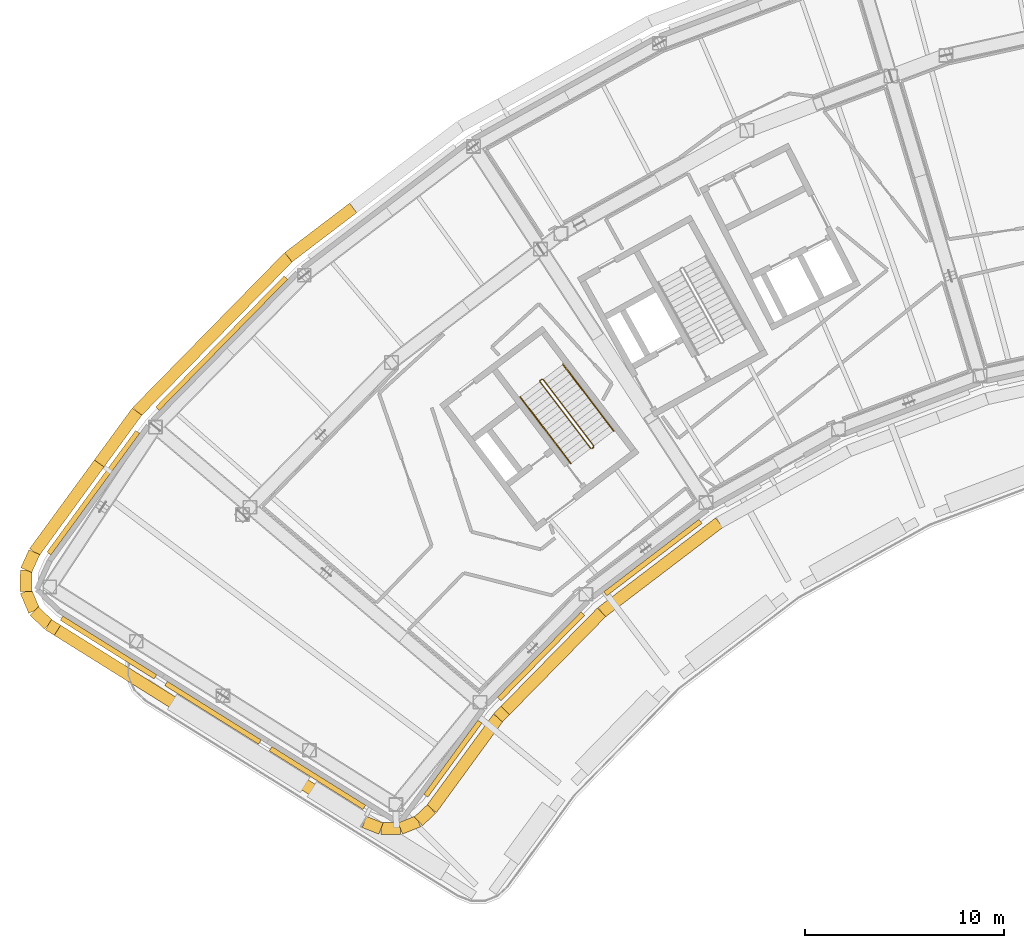
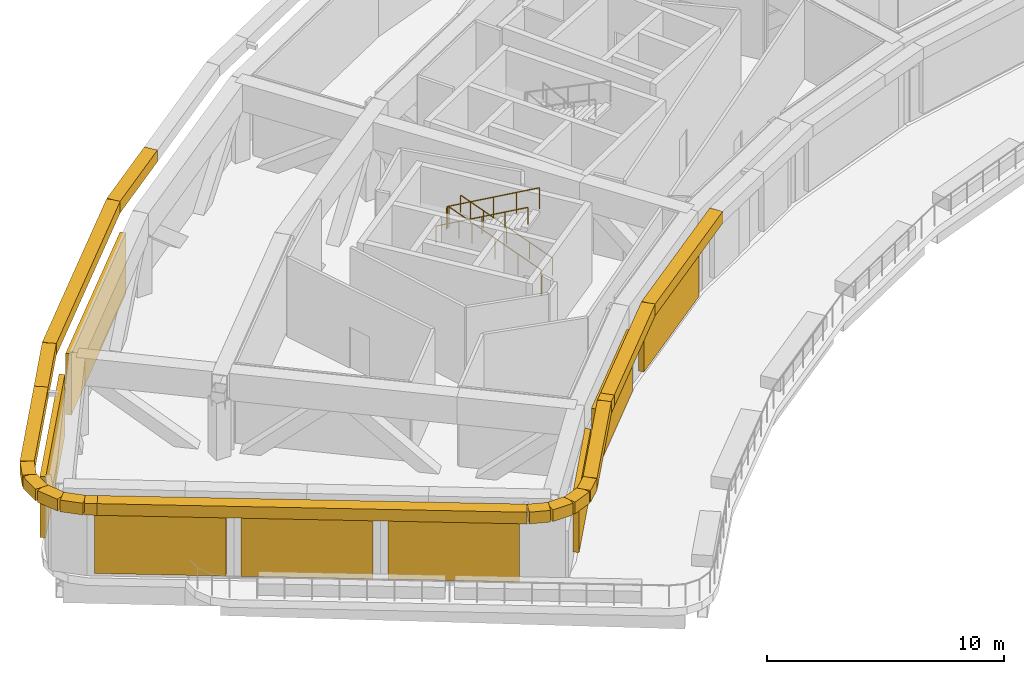
# One storey, part 21 of 26: 18 coverings, 8 shading devices, 3 railings.
"""IFC4 building model written with IfcOpenShell, lengths in metres."""

from ifc_helpers import new_model, si_unit, direction, frame, origin, origin_2d, place, context, subcontext, project, spatial, rectangle, circle, extrude, material, material_profile, profile_set, type_object, element, save


model = new_model("IFC4")

# Units and contexts
model_context = context("Model", 3, precision=1e-05, world=origin(), true_north=direction((0.0, 1.0)))
body_context = subcontext(model_context, "Body", "Model", "MODEL_VIEW")
ifc_project = project(units=[si_unit("LENGTHUNIT", "METRE"), si_unit("AREAUNIT", "SQUARE_METRE"), si_unit("VOLUMEUNIT", "CUBIC_METRE"), si_unit("PLANEANGLEUNIT", "RADIAN"), si_unit("MASSUNIT", "GRAM", prefix="KILO")], contexts=[model_context])

# Site, building, storey
site_placement = place(None, origin())
site = spatial("IfcSite", under=ifc_project, at=site_placement, CompositionType="ELEMENT")
building_placement = place(site_placement, origin())
building = spatial("IfcBuilding", under=site, at=building_placement, Name="Tuul Gate Civic Tower", CompositionType="ELEMENT")
storey_placement = place(building_placement, frame((0.0, 0.0, 167.60009765625)))
storey = spatial("IfcBuildingStorey", under=building, at=storey_placement, Name="Plant and refuge floor 5", CompositionType="ELEMENT", Elevation=167.60009765625)

# Shading devices
ifc_material_1 = material(Name="Aluminium louvre", Category="aluminium")
shading_device_type = type_object("IfcShadingDeviceType", Name="Louvre panel", PredefinedType="USERDEFINED", material=ifc_material_1)
shading_device_1_placement = place(storey_placement, frame((-52.05517578125, -8.284912109375, 0.300048828125), z_axis=(0.0, 0.0, 1.0), x_axis=(-0.714100212908, 0.700043488595, 0.0)))
element("IfcShadingDevice", 1, at=shading_device_1_placement, inside=storey, type_object=shading_device_type, Name="Louvre panel", ObjectType="LOUVRE", PredefinedType="USERDEFINED", context=body_context, shape_type="SweptSolid", body=[
    extrude(rectangle(XDim=0.25, YDim=9.199951171875, at=origin_2d()), origin(), (0.0, 0.0, 1.0), 3.14990234375),
])
shading_device_2_placement = place(storey_placement, frame((-58.49658203125, -15.7900390625, 0.300048828125), z_axis=(0.0, 0.0, 1.0), x_axis=(-0.807578487079, 0.589760109881, 0.0)))
element("IfcShadingDevice", 2, at=shading_device_2_placement, inside=storey, type_object=shading_device_type, Name="Louvre panel", ObjectType="LOUVRE", PredefinedType="USERDEFINED", context=body_context, shape_type="SweptSolid", body=[
    extrude(rectangle(XDim=0.25, YDim=7.550048828125, at=origin_2d()), origin(), (0.0, 0.0, 1.0), 3.14990234375),
])
for number, where, z_axis, x_axis, name in (
    (3, (-57.731689453125, -23.56005859375, 0.300048828125), (0.0, 0.0, 1.0), (-0.529911707044, -0.848052818366, 0.0), "Louvre panel"),
    (4, (-52.48828125, -26.83642578125, 0.300048828125), (0.0, 0.0, 1.0), (-0.529911707044, -0.848052818366, 0.0), "Louvre panel"),
    (5, (-47.244873046875, -30.11279296875, 0.300048828125), (0.0, 0.0, 1.0), (-0.529911707044, -0.848052818366, 0.0), "Louvre panel"),
):
    element("IfcShadingDevice", number, at=place(storey_placement, frame(where, z_axis=z_axis, x_axis=x_axis)), inside=storey, type_object=shading_device_type, Name=name, ObjectType="LOUVRE", PredefinedType="USERDEFINED", context=body_context, shape_type="SweptSolid", body=[
        extrude(rectangle(XDim=0.25, YDim=5.550048828125, at=origin_2d()), origin(), (0.0, 0.0, 1.0), 3.14990234375),
    ])
shading_device_3_placement = place(storey_placement, frame((-40.4462890625, -29.138916015625, 0.300048828125), z_axis=(0.0, 0.0, 1.0), x_axis=(0.807595190444, -0.589737236717, 0.0)))
element("IfcShadingDevice", 6, at=shading_device_3_placement, inside=storey, type_object=shading_device_type, Name="Louvre panel", ObjectType="LOUVRE", PredefinedType="USERDEFINED", context=body_context, shape_type="SweptSolid", body=[
    extrude(rectangle(XDim=0.25, YDim=4.60009765625, at=origin_2d()), origin(), (0.0, 0.0, 1.0), 3.14990234375),
])
for number, where, z_axis, x_axis, name in (
    (7, (-36.023193359375, -24.00048828125, 0.300048828125), (0.0, 0.0, 1.0), (0.714048093092, -0.700096651008, 0.0), "Louvre panel"),
    (8, (-30.408203125, -19.04541015625, 0.300048828125), (0.0, 0.0, 1.0), (0.605851052715, -0.795578092914, 0.0), "Louvre panel"),
):
    element("IfcShadingDevice", number, at=place(storey_placement, frame(where, z_axis=z_axis, x_axis=x_axis)), inside=storey, type_object=shading_device_type, Name=name, ObjectType="LOUVRE", PredefinedType="USERDEFINED", context=body_context, shape_type="SweptSolid", body=[
        extrude(rectangle(XDim=0.25, YDim=6.0, at=origin_2d()), origin(), (0.0, 0.0, 1.0), 3.14990234375),
    ])

# Railings
ifc_material_2 = material(Name="Painted steel", Category="steel")
railing_type_1 = type_object("IfcRailingType", Name="Stair guard", PredefinedType="GUARDRAIL", material=ifc_material_2)
railing_1_placement = place(storey_placement, frame((-33.382080078125, -13.515380859375, 0.0)))
element("IfcRailing", 9, at=railing_1_placement, inside=storey, type_object=railing_type_1, Name="Plant and refuge floor 5 ST-1 stair guard 1", PredefinedType="GUARDRAIL", context=body_context, shape_type="SweptSolid", body=[
    extrude(circle(Radius=0.02392578125, at=origin_2d()), frame((0.0, 0.0, 1.076171875), z_axis=(-0.795879841968, -0.605454603706, 0.0), x_axis=(0.605454603706, -0.795879841968, 0.0)), (0.0, 0.0, 1.0), 0.10009765625),
    extrude(circle(Radius=0.02392578125, at=origin_2d()), frame((-0.07958984375, -0.060546875, 1.076171875), z_axis=(0.408991890351, 0.599481263939, 0.688002796371), x_axis=(-0.826063974707, 0.563576356576, 0.0)), (0.0, 0.0, 1.0), 0.2177734375),
    extrude(circle(Radius=0.02392578125, at=origin_2d()), frame((0.009521484375, 0.070068359375, 1.22607421875), z_axis=(-0.541816459728, 0.711624784981, 0.447241645387), x_axis=(-0.795633173153, -0.605778716842, 0.0)), (0.0, 0.0, 1.0), 4.695556640625),
    extrude(circle(Radius=0.02392578125, at=origin_2d()), frame((-2.53466796875, 3.41162109375, 3.326171875), z_axis=(-0.990893089246, 0.134650977284, 0.0), x_axis=(-0.134650977284, -0.990893089246, 0.0)), (0.0, 0.0, 1.0), 0.07080078125),
    extrude(circle(Radius=0.02392578125, at=origin_2d()), frame((-2.604736328125, 3.421142578125, 3.326171875), z_axis=(-0.795879841968, -0.605454603706, 0.0), x_axis=(0.605454603706, -0.795879841968, 0.0)), (0.0, 0.0, 1.0), 0.10009765625),
    extrude(circle(Radius=0.02392578125, at=origin_2d()), frame((-2.684326171875, 3.360595703125, 3.326171875), z_axis=(-0.057447065493, -0.422751481959, 0.904423031091), x_axis=(0.990893089246, -0.134650977284, 0.0)), (0.0, 0.0, 1.0), 0.165771484375),
    extrude(circle(Radius=0.02392578125, at=origin_2d()), frame((-2.69384765625, 3.29052734375, 3.47607421875), z_axis=(0.541816459728, -0.711624784981, 0.447241645387), x_axis=(0.795633173153, 0.605778716842, 0.0)), (0.0, 0.0, 1.0), 4.695556640625),
    extrude(circle(Radius=0.02099609375, at=origin_2d()), origin(), (0.0, 0.0, 1.0), 1.052001953125),
    extrude(circle(Radius=0.02099609375, at=origin_2d()), frame((-0.07958984375, -0.060546875, 0.0)), (0.0, 0.0, 1.0), 1.052001953125),
    extrude(circle(Radius=0.02099609375, at=origin_2d()), frame((0.009521484375, 0.070068359375, 0.14990234375)), (0.0, 0.0, 1.0), 1.052001953125),
    extrude(circle(Radius=0.02099609375, at=origin_2d()), frame((-0.62646484375, 0.905517578125, 0.6748046875)), (0.0, 0.0, 1.0), 1.052001953125),
    extrude(circle(Radius=0.02099609375, at=origin_2d()), frame((-1.2626953125, 1.74072265625, 1.199951171875)), (0.0, 0.0, 1.0), 1.052001953125),
    extrude(circle(Radius=0.02099609375, at=origin_2d()), frame((-1.898681640625, 2.576171875, 1.72509765625)), (0.0, 0.0, 1.0), 1.052001953125),
    extrude(circle(Radius=0.02099609375, at=origin_2d()), frame((-2.53466796875, 3.41162109375, 2.25)), (0.0, 0.0, 1.0), 1.052001953125),
    extrude(circle(Radius=0.02099609375, at=origin_2d()), frame((-2.604736328125, 3.421142578125, 2.25)), (0.0, 0.0, 1.0), 1.052001953125),
    extrude(circle(Radius=0.02099609375, at=origin_2d()), frame((-2.684326171875, 3.360595703125, 2.25)), (0.0, 0.0, 1.0), 1.052001953125),
    extrude(circle(Radius=0.02099609375, at=origin_2d()), frame((-2.69384765625, 3.29052734375, 2.39990234375)), (0.0, 0.0, 1.0), 1.052001953125),
    extrude(circle(Radius=0.02099609375, at=origin_2d()), frame((-2.057861328125, 2.455078125, 2.9248046875)), (0.0, 0.0, 1.0), 1.052001953125),
    extrude(circle(Radius=0.02099609375, at=origin_2d()), frame((-1.421875, 1.61962890625, 3.449951171875)), (0.0, 0.0, 1.0), 1.052001953125),
    extrude(circle(Radius=0.02099609375, at=origin_2d()), frame((-0.78564453125, 0.784423828125, 3.97509765625)), (0.0, 0.0, 1.0), 1.052001953125),
    extrude(circle(Radius=0.02099609375, at=origin_2d()), frame((-0.149658203125, -0.051025390625, 4.5)), (0.0, 0.0, 1.0), 1.052001953125),
])
ifc_material_3 = material(Name="Painted steel", Category="steel")
railing_type_2 = type_object("IfcRailingType", Name="Stair handrail", PredefinedType="HANDRAIL", material=ifc_material_3)
railing_2_placement = place(storey_placement, frame((-32.3779296875, -12.688232421875, 0.14990234375)))
element("IfcRailing", 10, at=railing_2_placement, inside=storey, type_object=railing_type_2, Name="Plant and refuge floor 5 ST-1 stair handrail 1", PredefinedType="HANDRAIL", context=body_context, shape_type="SweptSolid", body=[
    extrude(circle(Radius=0.02392578125, at=origin_2d()), frame((0.0, 0.0, 0.8759765625), z_axis=(-0.541796413262, 0.711650446668, 0.447225098059), x_axis=(-0.795654503725, -0.605750700125, 0.0)), (0.0, 0.0, 1.0), 4.69580078125),
    extrude(circle(Radius=0.02099609375, at=origin_2d()), origin(), (0.0, 0.0, 1.0), 0.851806640625),
    extrude(circle(Radius=0.02099609375, at=origin_2d()), frame((-0.635986328125, 0.83544921875, 0.52490234375)), (0.0, 0.0, 1.0), 0.851806640625),
    extrude(circle(Radius=0.02099609375, at=origin_2d()), frame((-1.27197265625, 1.6708984375, 1.050048828125)), (0.0, 0.0, 1.0), 0.851806640625),
    extrude(circle(Radius=0.02099609375, at=origin_2d()), frame((-1.908203125, 2.50634765625, 1.5751953125)), (0.0, 0.0, 1.0), 0.851806640625),
    extrude(circle(Radius=0.02099609375, at=origin_2d()), frame((-2.544189453125, 3.341796875, 2.10009765625)), (0.0, 0.0, 1.0), 0.851806640625),
])
railing_3_placement = place(storey_placement, frame((-37.0703125, -10.98193359375, 2.39990234375)))
element("IfcRailing", 11, at=railing_3_placement, inside=storey, type_object=railing_type_2, Name="Plant and refuge floor 5 ST-1 stair handrail 2", PredefinedType="HANDRAIL", context=body_context, shape_type="SweptSolid", body=[
    extrude(circle(Radius=0.02392578125, at=origin_2d()), frame((0.0, 0.0, 0.8759765625), z_axis=(0.541796413262, -0.711650446668, 0.447225098059), x_axis=(0.795654503725, 0.605750700125, 0.0)), (0.0, 0.0, 1.0), 4.69580078125),
    extrude(circle(Radius=0.02099609375, at=origin_2d()), origin(), (0.0, 0.0, 1.0), 0.851806640625),
    extrude(circle(Radius=0.02099609375, at=origin_2d()), frame((0.635986328125, -0.83544921875, 0.52490234375)), (0.0, 0.0, 1.0), 0.851806640625),
    extrude(circle(Radius=0.02099609375, at=origin_2d()), frame((1.27197265625, -1.6708984375, 1.050048828125)), (0.0, 0.0, 1.0), 0.851806640625),
    extrude(circle(Radius=0.02099609375, at=origin_2d()), frame((1.908203125, -2.50634765625, 1.5751953125)), (0.0, 0.0, 1.0), 0.851806640625),
    extrude(circle(Radius=0.02099609375, at=origin_2d()), frame((2.544189453125, -3.341796875, 2.10009765625)), (0.0, 0.0, 1.0), 0.851806640625),
])

# Coverings
ifc_material_4 = material(Name="Terracotta baguette", Category="masonry")
ifc_material_profile = material_profile(ifc_material_4, rectangle(XDim=0.60009765625, YDim=0.60009765625, at=origin_2d()), Name="Terracotta baguette screen frame")
ifc_profile_set = profile_set([ifc_material_profile], Name="Terracotta baguette")
covering_type = type_object("IfcCoveringType", Name="Terracotta baguette screen frame", PredefinedType="CLADDING", material=ifc_profile_set)
covering_1_placement = place(storey_placement, frame((-58.19970703125, -14.32373046875, 4.14990234375), z_axis=(-0.589776736923, -0.807566344386, 0.0), x_axis=(0.807566344386, -0.589776736923, 0.0)))
element("IfcCovering", 12, at=covering_1_placement, inside=storey, type_object=covering_type, Name="Baguette 129", PredefinedType="CLADDING", context=body_context, shape_type="SweptSolid", body=[
    extrude(rectangle(XDim=0.60009765625, YDim=0.60009765625, at=origin_2d()), origin(), (0.0, 0.0, 1.0), 5.512939453125),
])
covering_2_placement = place(storey_placement, frame((-61.451171875, -18.77587890625, 4.14990234375), z_axis=(-0.413393330634, -0.910552554325, 0.0), x_axis=(0.910552554325, -0.413393330634, 0.0)))
element("IfcCovering", 13, at=covering_2_placement, inside=storey, type_object=covering_type, Name="Baguette 130", PredefinedType="CLADDING", context=body_context, shape_type="SweptSolid", body=[
    extrude(rectangle(XDim=0.60009765625, YDim=0.60009765625, at=origin_2d()), origin(), (0.0, 0.0, 1.0), 0.988037109375),
])
covering_3_placement = place(storey_placement, frame((-61.859619140625, -19.675537109375, 4.14990234375), z_axis=(-0.014633694716, -0.999892921757, 0.0), x_axis=(0.999892921757, -0.014633694716, 0.0)))
element("IfcCovering", 14, at=covering_3_placement, inside=storey, type_object=covering_type, Name="Baguette 131", PredefinedType="CLADDING", context=body_context, shape_type="SweptSolid", body=[
    extrude(rectangle(XDim=0.60009765625, YDim=0.60009765625, at=origin_2d()), origin(), (0.0, 0.0, 1.0), 1.067626953125),
])
covering_4_placement = place(storey_placement, frame((-61.875244140625, -20.7431640625, 4.14990234375), z_axis=(0.385784883999, -0.922588761734, 0.0), x_axis=(0.922588761734, 0.385784883999, 0.0)))
element("IfcCovering", 15, at=covering_4_placement, inside=storey, type_object=covering_type, Name="Baguette 132", PredefinedType="CLADDING", context=body_context, shape_type="SweptSolid", body=[
    extrude(rectangle(XDim=0.60009765625, YDim=0.60009765625, at=origin_2d()), origin(), (0.0, 0.0, 1.0), 1.06689453125),
])
covering_5_placement = place(storey_placement, frame((-61.463623046875, -21.7275390625, 4.14990234375), z_axis=(0.722137314744, -0.691749737011, 0.0), x_axis=(0.691749737011, 0.722137314744, 0.0)))
element("IfcCovering", 16, at=covering_5_placement, inside=storey, type_object=covering_type, Name="Baguette 133", PredefinedType="CLADDING", context=body_context, shape_type="SweptSolid", body=[
    extrude(rectangle(XDim=0.60009765625, YDim=0.60009765625, at=origin_2d()), origin(), (0.0, 0.0, 1.0), 0.98828125),
])
covering_6_placement = place(storey_placement, frame((-60.75, -22.4111328125, 4.14990234375), z_axis=(0.848049364617, -0.529917234267, 0.0), x_axis=(0.529917234267, 0.848049364617, 0.0)))
element("IfcCovering", 17, at=covering_6_placement, inside=storey, type_object=covering_type, Name="Baguette 134", PredefinedType="CLADDING", context=body_context, shape_type="SweptSolid", body=[
    extrude(rectangle(XDim=0.60009765625, YDim=0.60009765625, at=origin_2d()), origin(), (0.0, 0.0, 1.0), 0.537109375),
])
covering_7_placement = place(storey_placement, frame((-44.894775390625, -32.318359375, 4.14990234375), z_axis=(0.931836861998, -0.362877476047, 0.0), x_axis=(0.362877476047, 0.931836861998, 0.0)))
element("IfcCovering", 18, at=covering_7_placement, inside=storey, type_object=covering_type, Name="Baguette 158", PredefinedType="CLADDING", context=body_context, shape_type="SweptSolid", body=[
    extrude(rectangle(XDim=0.60009765625, YDim=0.60009765625, at=origin_2d()), origin(), (0.0, 0.0, 1.0), 0.901611328125),
])
covering_8_placement = place(storey_placement, frame((-44.0546875, -32.6455078125, 4.14990234375), z_axis=(0.999995470638, 0.003009768158, 0.0), x_axis=(-0.003009768158, 0.999995470638, 0.0)))
element("IfcCovering", 19, at=covering_8_placement, inside=storey, type_object=covering_type, Name="Baguette 159", PredefinedType="CLADDING", context=body_context, shape_type="SweptSolid", body=[
    extrude(rectangle(XDim=0.60009765625, YDim=0.60009765625, at=origin_2d()), origin(), (0.0, 0.0, 1.0), 0.973388671875),
])
covering_9_placement = place(storey_placement, frame((-43.081298828125, -32.642578125, 4.14990234375), z_axis=(0.92921778572, 0.369532551614, 0.0), x_axis=(-0.369532551614, 0.92921778572, 0.0)))
element("IfcCovering", 20, at=covering_9_placement, inside=storey, type_object=covering_type, Name="Baguette 160", PredefinedType="CLADDING", context=body_context, shape_type="SweptSolid", body=[
    extrude(rectangle(XDim=0.60009765625, YDim=0.60009765625, at=origin_2d()), origin(), (0.0, 0.0, 1.0), 0.974609375),
])
covering_10_placement = place(storey_placement, frame((-42.17578125, -32.282470703125, 4.14990234375), z_axis=(0.729883388516, 0.68357167815, 0.0), x_axis=(-0.68357167815, 0.729883388516, 0.0)))
element("IfcCovering", 21, at=covering_10_placement, inside=storey, type_object=covering_type, Name="Baguette 161", PredefinedType="CLADDING", context=body_context, shape_type="SweptSolid", body=[
    extrude(rectangle(XDim=0.60009765625, YDim=0.60009765625, at=origin_2d()), origin(), (0.0, 0.0, 1.0), 0.9013671875),
])
covering_11_placement = place(storey_placement, frame((-41.517822265625, -31.666259765625, 4.14990234375), z_axis=(0.589729447422, 0.807600878432, 0.0), x_axis=(-0.807600878432, 0.589729447422, 0.0)))
element("IfcCovering", 22, at=covering_11_placement, inside=storey, type_object=covering_type, Name="Baguette 162", PredefinedType="CLADDING", context=body_context, shape_type="SweptSolid", body=[
    extrude(rectangle(XDim=0.60009765625, YDim=0.60009765625, at=origin_2d()), origin(), (0.0, 0.0, 1.0), 5.671142578125),
])
covering_12_placement = place(storey_placement, frame((-38.17333984375, -27.086181640625, 4.14990234375), z_axis=(0.700128863512, 0.714016508547, 0.0), x_axis=(-0.714016508547, 0.700128863512, 0.0)))
element("IfcCovering", 23, at=covering_12_placement, inside=storey, type_object=covering_type, Name="Baguette 163", PredefinedType="CLADDING", context=body_context, shape_type="SweptSolid", body=[
    extrude(rectangle(XDim=0.60009765625, YDim=0.60009765625, at=origin_2d()), origin(), (0.0, 0.0, 1.0), 0.509765625),
])
covering_13_placement = place(storey_placement, frame((-45.45068359375, -1.496337890625, 4.14990234375), z_axis=(-0.79562221551, -0.605793108402, 0.0), x_axis=(0.605793108402, -0.79562221551, 0.0)))
element("IfcCovering", 24, at=covering_13_placement, inside=storey, type_object=covering_type, Name="Baguette 373", PredefinedType="CLADDING", context=body_context, shape_type="SweptSolid", body=[
    extrude(rectangle(XDim=0.60009765625, YDim=0.60009765625, at=origin_2d()), origin(), (0.0, 0.0, 1.0), 4.088623046875),
])
covering_14_placement = place(storey_placement, frame((-48.70361328125, -3.97314453125, 4.14990234375), z_axis=(-0.700040591401, -0.714103053061, 0.0), x_axis=(0.714103053061, -0.700040591401, 0.0)))
element("IfcCovering", 25, at=covering_14_placement, inside=storey, type_object=covering_type, Name="Baguette 374", PredefinedType="CLADDING", context=body_context, shape_type="SweptSolid", body=[
    extrude(rectangle(XDim=0.60009765625, YDim=0.60009765625, at=origin_2d()), origin(), (0.0, 0.0, 1.0), 10.850830078125),
])
covering_15_placement = place(storey_placement, frame((-56.299560546875, -11.7216796875, 4.14990234375), z_axis=(-0.589742982723, -0.807590994458, 0.0), x_axis=(0.807590994458, -0.589742982723, 0.0)))
element("IfcCovering", 26, at=covering_15_placement, inside=storey, type_object=covering_type, Name="Baguette 375", PredefinedType="CLADDING", context=body_context, shape_type="SweptSolid", body=[
    extrude(rectangle(XDim=0.60009765625, YDim=0.60009765625, at=origin_2d()), origin(), (0.0, 0.0, 1.0), 3.221923828125),
])
covering_16_placement = place(storey_placement, frame((-60.29443359375, -22.69580078125, 4.14990234375), z_axis=(0.848057385556, -0.529904397796, 0.0), x_axis=(0.529904397796, 0.848057385556, 0.0)))
element("IfcCovering", 27, at=covering_16_placement, inside=storey, type_object=covering_type, Name="Baguette 376", PredefinedType="CLADDING", context=body_context, shape_type="SweptSolid", body=[
    extrude(rectangle(XDim=0.60009765625, YDim=0.60009765625, at=origin_2d()), origin(), (0.0, 0.0, 1.0), 18.10595703125),
])
covering_17_placement = place(storey_placement, frame((-37.81640625, -26.72216796875, 4.14990234375), z_axis=(0.700091906079, 0.71405274528, 0.0), x_axis=(-0.71405274528, 0.700091906079, 0.0)))
element("IfcCovering", 28, at=covering_17_placement, inside=storey, type_object=covering_type, Name="Baguette 377", PredefinedType="CLADDING", context=body_context, shape_type="SweptSolid", body=[
    extrude(rectangle(XDim=0.60009765625, YDim=0.60009765625, at=origin_2d()), origin(), (0.0, 0.0, 1.0), 6.907470703125),
])
covering_18_placement = place(storey_placement, frame((-32.98046875, -21.789794921875, 4.14990234375), z_axis=(0.795582797942, 0.60584487422, 0.0), x_axis=(-0.60584487422, 0.795582797942, 0.0)))
element("IfcCovering", 29, at=covering_18_placement, inside=storey, type_object=covering_type, Name="Baguette 378", PredefinedType="CLADDING", context=body_context, shape_type="SweptSolid", body=[
    extrude(rectangle(XDim=0.60009765625, YDim=0.60009765625, at=origin_2d()), origin(), (0.0, 0.0, 1.0), 7.41796875),
])

save(model, "model.ifc")
